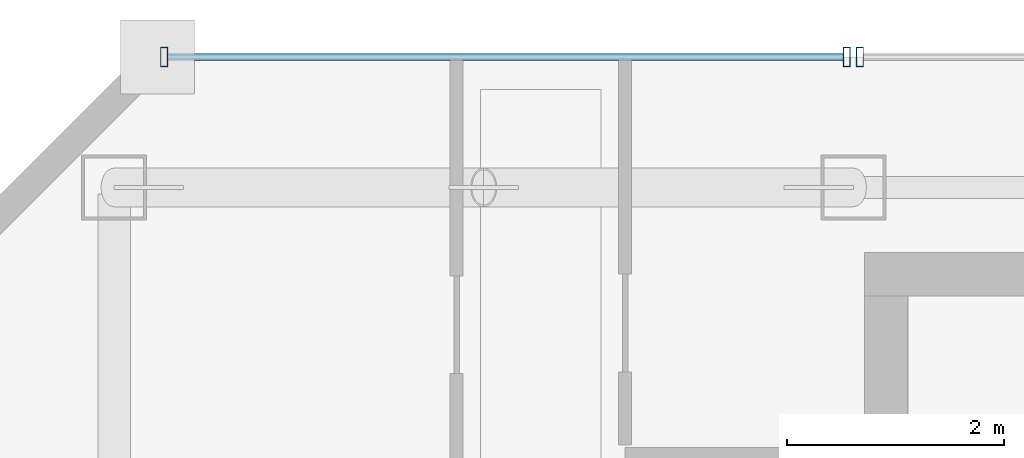
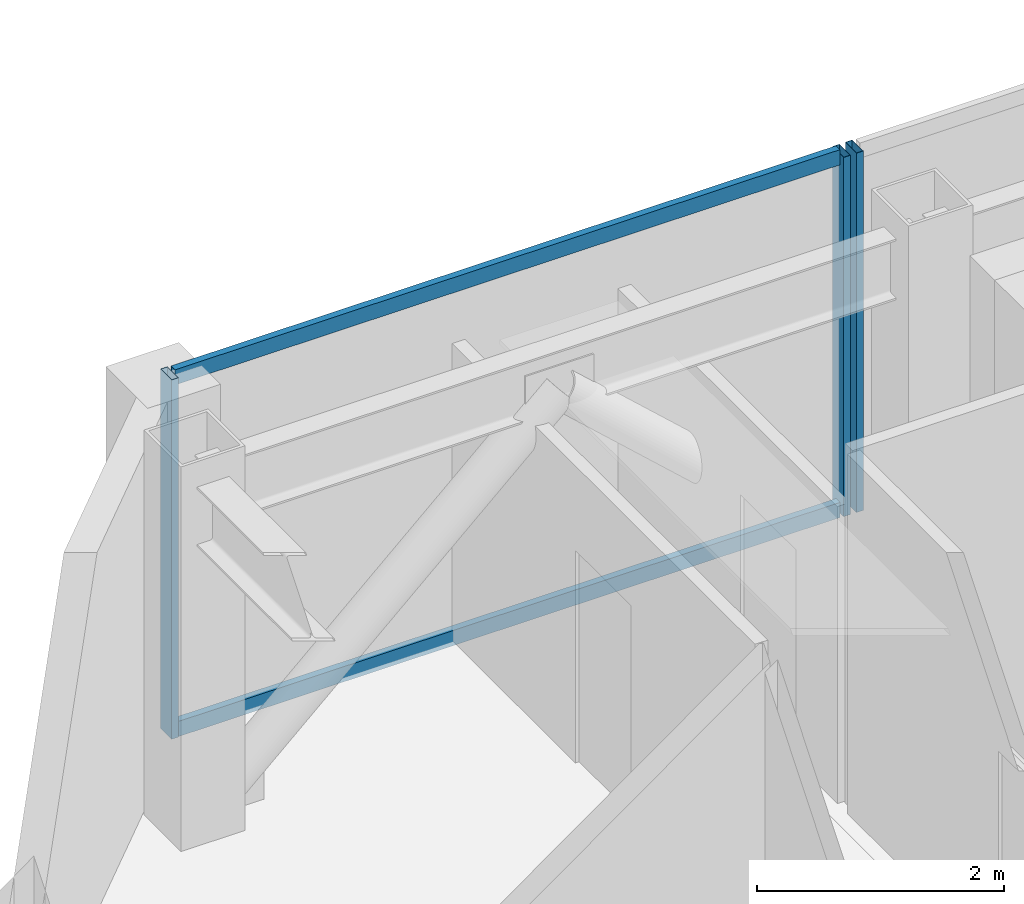
# One storey, part 12 of 25: 5 members, 2 elements without a shape of their own.
"""IFC4 building model written with IfcOpenShell, lengths in metres."""

from ifc_helpers import new_model, si_unit, direction, frame, origin, origin_2d, place, context, subcontext, project, spatial, hollow_rectangle, extrude, material, material_profile, profile_set, type_object, element, aggregate, save


model = new_model("IFC4")

# Units and contexts
model_context = context("Model", 3, precision=1e-05, world=origin(), true_north=direction((0.0, 1.0)))
body_context = subcontext(model_context, "Body", "Model", "MODEL_VIEW")
ifc_project = project(units=[si_unit("LENGTHUNIT", "METRE"), si_unit("AREAUNIT", "SQUARE_METRE"), si_unit("VOLUMEUNIT", "CUBIC_METRE"), si_unit("PLANEANGLEUNIT", "RADIAN"), si_unit("MASSUNIT", "GRAM", prefix="KILO")], contexts=[model_context])

# Site, building, storey
site_placement = place(None, origin())
site = spatial("IfcSite", under=ifc_project, at=site_placement, CompositionType="ELEMENT")
building_placement = place(site_placement, origin())
building = spatial("IfcBuilding", under=site, at=building_placement, Name="Saevonmaru Cultural Tower", CompositionType="ELEMENT")
storey_placement = place(building_placement, frame((0.0, 0.0, 276.199951171875)))
storey = spatial("IfcBuildingStorey", under=building, at=storey_placement, Name="L65", CompositionType="ELEMENT", Elevation=276.199951171875)

# Curtain wall, member
ifc_material = material(Name="Satin Bronze Anodised Aluminium", Category="aluminium")
curtain_wall_type = type_object("IfcCurtainWallType", Name="CW-TYP-B", PredefinedType="NOTDEFINED", material=ifc_material)
curtain_wall_1_placement = place(storey_placement, origin())
curtain_wall_1 = element("IfcCurtainWall", 1, at=curtain_wall_1_placement, inside=storey, type_object=curtain_wall_type, Name="L65 North Spine Unitised Curtain Wall E10B", PredefinedType="NOTDEFINED")
ifc_material_profile_1 = material_profile(ifc_material, hollow_rectangle(XDim=0.06494140625, YDim=0.179931640625, WallThickness=0.00390625, at=origin_2d()), Name="ALU-MULL-180x65x4")
ifc_profile_set_1 = profile_set([ifc_material_profile_1], Name="Satin Bronze Anodised Aluminium")
member_type_1 = type_object("IfcMemberType", Name="ML-CW-180x65", PredefinedType="MULLION", material=ifc_profile_set_1)
member_1_placement = place(storey_placement, frame((13.659912109375, 56.0, 0.0), z_axis=(0.0, 0.0, 1.0), x_axis=(-1.0, 0.0, 0.0)))
member_1 = element("IfcMember", 2, at=member_1_placement, type_object=member_type_1, Name="CW-TW-L65-E10B mullion 4", PredefinedType="MULLION", context=body_context, shape_type="SweptSolid", body=[
    extrude(hollow_rectangle(XDim=0.06494140625, YDim=0.179931640625, WallThickness=0.00390625, at=origin_2d()), origin(), (0.0, 0.0, 1.0), 3.550048828125),
])
aggregate(curtain_wall_1, [member_1])

# Curtain wall, members
curtain_wall_2_placement = place(storey_placement, origin())
curtain_wall_2 = element("IfcCurtainWall", 3, at=curtain_wall_2_placement, inside=storey, type_object=curtain_wall_type, Name="L65 West Braced Bay Spandrel Curtain Wall E10C", PredefinedType="NOTDEFINED")
member_2_placement = place(storey_placement, frame((13.5400390625, 56.0, 0.0), z_axis=(0.0, 0.0, 1.0), x_axis=(-1.0, 0.0, 0.0)))
member_2 = element("IfcMember", 4, at=member_2_placement, type_object=member_type_1, Name="CW-TW-L65-E10C mullion 1", PredefinedType="MULLION", context=body_context, shape_type="SweptSolid", body=[
    extrude(hollow_rectangle(XDim=0.06494140625, YDim=0.179931640625, WallThickness=0.00390625, at=origin_2d()), origin(), (0.0, 0.0, 1.0), 3.550048828125),
])
member_3_placement = place(storey_placement, frame((7.260009765625, 56.0, 0.0), z_axis=(0.0, 0.0, 1.0), x_axis=(-1.0, 0.0, 0.0)))
member_3 = element("IfcMember", 5, at=member_3_placement, type_object=member_type_1, Name="CW-TW-L65-E10C mullion 2", PredefinedType="MULLION", context=body_context, shape_type="SweptSolid", body=[
    extrude(hollow_rectangle(XDim=0.06494140625, YDim=0.179931640625, WallThickness=0.00390625, at=origin_2d()), origin(), (0.0, 0.0, 1.0), 3.550048828125),
])
ifc_material_profile_2 = material_profile(ifc_material, hollow_rectangle(XDim=0.06494140625, YDim=0.14990234375, WallThickness=0.00390625, at=origin_2d()), Name="ALU-TRAN-150x65x4")
ifc_profile_set_2 = profile_set([ifc_material_profile_2], Name="Satin Bronze Anodised Aluminium")
member_type_2 = type_object("IfcMemberType", Name="TR-CW-150x65", PredefinedType="USERDEFINED", material=ifc_profile_set_2)
member_4_placement = place(storey_placement, frame((13.507568359375, 56.0, 0.032470703125), z_axis=(-1.0, 0.0, 0.0), x_axis=(0.0, -1.0, 0.0)))
member_4 = element("IfcMember", 6, at=member_4_placement, type_object=member_type_2, Name="CW-TW-L65-E10C transom 1.1", ObjectType="TRANSOM", PredefinedType="USERDEFINED", context=body_context, shape_type="SweptSolid", body=[
    extrude(hollow_rectangle(XDim=0.06494140625, YDim=0.14990234375, WallThickness=0.00390625, at=origin_2d()), origin(), (0.0, 0.0, 1.0), 6.215087890625),
])
member_5_placement = place(storey_placement, frame((13.507568359375, 56.0, 3.517578125), z_axis=(-1.0, 0.0, 0.0), x_axis=(0.0, -1.0, 0.0)))
member_5 = element("IfcMember", 7, at=member_5_placement, type_object=member_type_2, Name="CW-TW-L65-E10C transom 1.2", ObjectType="TRANSOM", PredefinedType="USERDEFINED", context=body_context, shape_type="SweptSolid", body=[
    extrude(hollow_rectangle(XDim=0.06494140625, YDim=0.14990234375, WallThickness=0.00390625, at=origin_2d()), origin(), (0.0, 0.0, 1.0), 6.215087890625),
])
aggregate(curtain_wall_2, [member_2, member_3, member_4, member_5])

save(model, "model.ifc")
